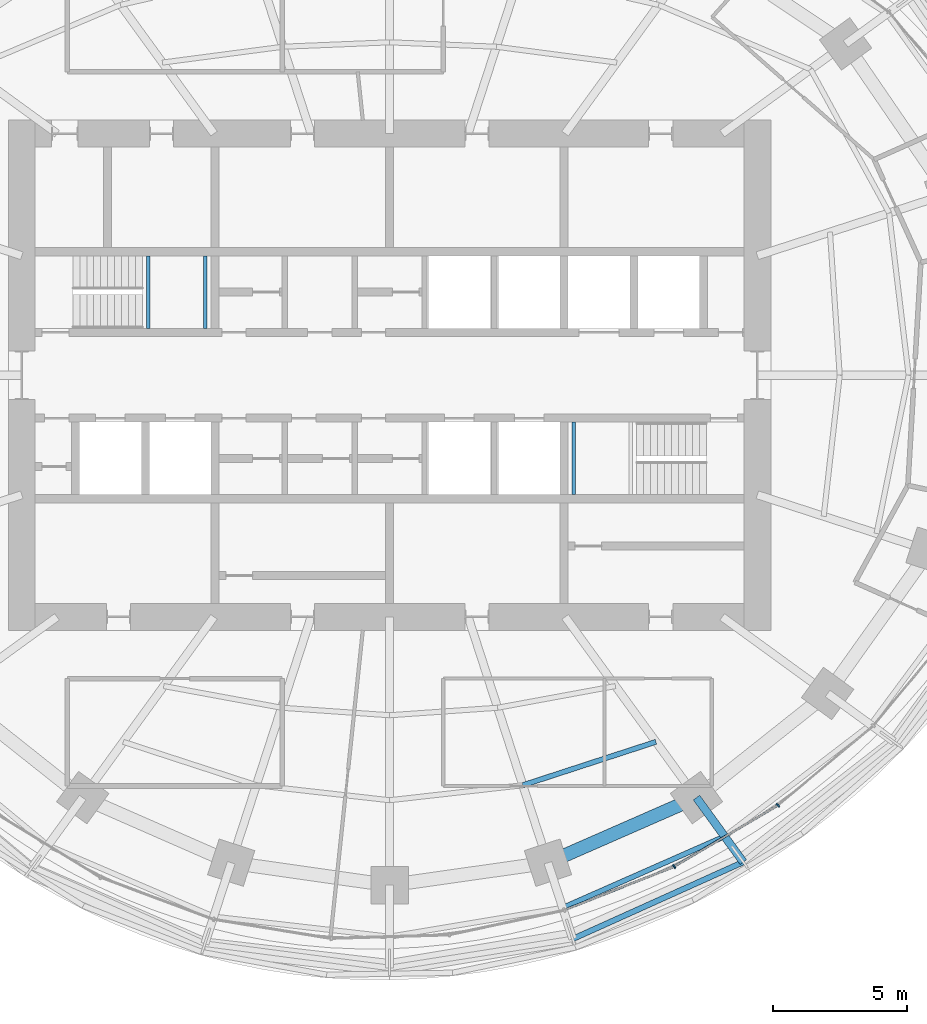
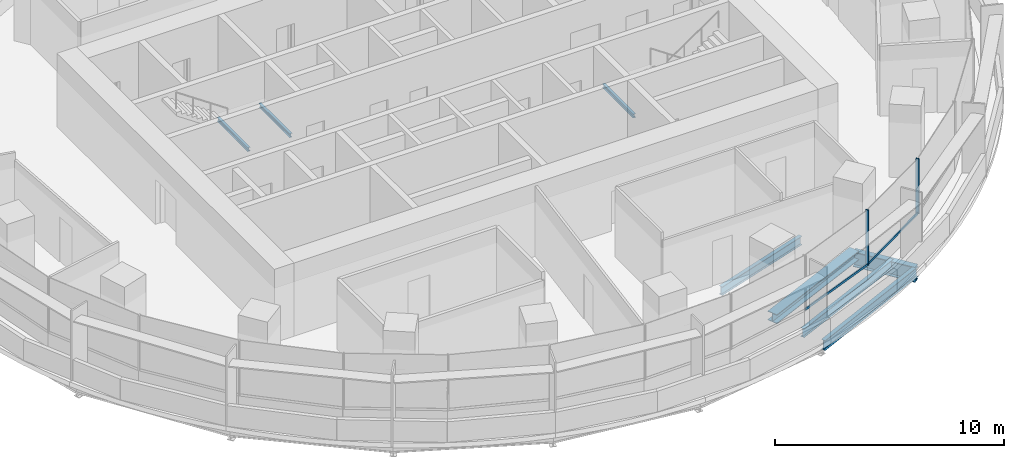
# One storey, part 5 of 17: 7 beams, 5 members, 2 elements without a shape of their own.
"""IFC4 building model written with IfcOpenShell, lengths in metres."""

from ifc_helpers import new_model, si_unit, direction, frame, origin, origin_2d, place, context, subcontext, project, spatial, rectangle, i_section, extrude, material, material_profile, profile_set, type_object, element, aggregate, save


model = new_model("IFC4")

# Units and contexts
model_context = context("Model", 3, precision=1e-05, world=origin(), true_north=direction((0.0, 1.0)))
body_context = subcontext(model_context, "Body", "Model", "MODEL_VIEW")
ifc_project = project(units=[si_unit("LENGTHUNIT", "METRE"), si_unit("AREAUNIT", "SQUARE_METRE"), si_unit("VOLUMEUNIT", "CUBIC_METRE"), si_unit("PLANEANGLEUNIT", "RADIAN"), si_unit("MASSUNIT", "GRAM", prefix="KILO")], contexts=[model_context])

# Site, building, storey
site_placement = place(None, origin())
site = spatial("IfcSite", under=ifc_project, at=site_placement, CompositionType="ELEMENT")
building_placement = place(site_placement, origin())
building = spatial("IfcBuilding", under=site, at=building_placement, Name="Marramba Exchange Tower", CompositionType="ELEMENT")
storey_placement = place(building_placement, frame((0.0, 0.0, 172.10009765625)))
storey = spatial("IfcBuildingStorey", under=building, at=storey_placement, Name="L41", CompositionType="ELEMENT", Elevation=172.10009765625)

# Member
ifc_material_1 = material(Name="Steel AS/NZS 3679.2 grade 300", Category="steel")
ifc_material_profile_1 = material_profile(ifc_material_1, i_section(OverallWidth=0.5, OverallDepth=0.48388671875, WebThickness=0.02490234375, FlangeThickness=0.031982421875, at=origin_2d()), Name="500WC340")
ifc_profile_set_1 = profile_set([ifc_material_profile_1], Name="Steel AS/NZS 3679.2 grade 300")
member_type_1 = type_object("IfcMemberType", Name="Belt truss chord 500WC340", PredefinedType="CHORD", material=ifc_profile_set_1)
member_1_placement = place(storey_placement, frame((5.899658203125, -18.156982421875, -0.442138671875), z_axis=(0.915876892158, 0.4014592363, 0.0), x_axis=(-0.4014592363, 0.915876892158, 0.0)))
element("IfcMember", 1, at=member_1_placement, inside=storey, type_object=member_type_1, Name="Belt chord L41 TC17-TC18", PredefinedType="CHORD", context=body_context, shape_type="SweptSolid", body=[
    extrude(i_section(OverallWidth=0.5, OverallDepth=0.48388671875, WebThickness=0.02490234375, FlangeThickness=0.031982421875, at=origin_2d()), origin(), (0.0, 0.0, 1.0), 6.038818359375),
])

# Beams
ifc_material_profile_2 = material_profile(ifc_material_1, i_section(OverallWidth=0.300048828125, OverallDepth=0.800048828125, WebThickness=0.013916015625, FlangeThickness=0.031982421875, at=origin_2d()), Name="800WB192")
ifc_profile_set_2 = profile_set([ifc_material_profile_2], Name="Steel AS/NZS 3679.2 grade 300")
beam_type_1 = type_object("IfcBeamType", Name="Cantilever girder 800WB192", PredefinedType="BEAM", material=ifc_profile_set_2)
beam_1_placement = place(storey_placement, frame((11.430419921875, -15.732666015625, -0.650146484375), z_axis=(0.587794986183, -0.8090099222, 0.0), x_axis=(0.8090099222, 0.587794986183, 0.0)))
element("IfcBeam", 2, at=beam_1_placement, inside=storey, type_object=beam_type_1, Name="Cantilever girder L41 TC18", PredefinedType="BEAM", context=body_context, shape_type="SweptSolid", body=[
    extrude(i_section(OverallWidth=0.300048828125, OverallDepth=0.800048828125, WebThickness=0.013916015625, FlangeThickness=0.031982421875, at=origin_2d()), origin(), (0.0, 0.0, 1.0), 2.9677734375),
])
ifc_material_2 = material(Name="Steel AS/NZS 3679.1 grade 300", Category="steel")
ifc_material_profile_3 = material_profile(ifc_material_2, i_section(OverallWidth=0.19091796875, OverallDepth=0.4599609375, WebThickness=0.010009765625, FlangeThickness=0.01611328125, FilletRadius=0.011474609375, at=origin_2d()), Name="460UB82.1")
ifc_profile_set_3 = profile_set([ifc_material_profile_3], Name="Steel AS/NZS 3679.1 grade 300")
beam_type_2 = type_object("IfcBeamType", Name="Floor joist 460UB82.1", PredefinedType="JOIST", material=ifc_profile_set_3)
beam_2_placement = place(storey_placement, frame((4.9619140625, -15.271484375, -0.43017578125), z_axis=(0.950764024931, 0.309915744834, 0.0), x_axis=(-0.309915744834, 0.950764024931, 0.0)))
element("IfcBeam", 3, at=beam_2_placement, inside=storey, type_object=beam_type_2, Name="Joist L41 bay 17 row 2", PredefinedType="JOIST", context=body_context, shape_type="SweptSolid", body=[
    extrude(i_section(OverallWidth=0.19091796875, OverallDepth=0.4599609375, WebThickness=0.010009765625, FlangeThickness=0.01611328125, FilletRadius=0.011474609375, at=origin_2d()), origin(), (0.0, 0.0, 1.0), 5.2158203125),
])

# Curtain wall, members
ifc_material_3 = material(Name="Aluminium framing, bronze anodised", Category="aluminium")
curtain_wall_type = type_object("IfcCurtainWallType", Name="Office ribbon curtain wall", PredefinedType="USERDEFINED", material=ifc_material_3)
curtain_wall_1_placement = place(storey_placement, origin())
curtain_wall_1 = element("IfcCurtainWall", 4, at=curtain_wall_1_placement, inside=storey, type_object=curtain_wall_type, Name="Curtain wall CW4 L41 F26-F30", ObjectType="RIBBON CURTAIN WALL", PredefinedType="USERDEFINED")
ifc_material_4 = material(Name="Aluminium mullion, bronze anodised", Category="aluminium")
ifc_material_profile_4 = material_profile(ifc_material_4, rectangle(XDim=0.159912109375, YDim=0.06005859375, at=origin_2d()), Name="CW4 mullion 60x160")
ifc_profile_set_4 = profile_set([ifc_material_profile_4], Name="Aluminium mullion, bronze anodised")
member_type_2 = type_object("IfcMemberType", Name="Office ribbon curtain wall mullion", PredefinedType="MULLION", material=ifc_profile_set_4)
member_2_placement = place(storey_placement, frame((10.60009765625, -18.2998046875, 0.7998046875), z_axis=(0.0, 0.0, 1.0), x_axis=(-0.508010571686, 0.861350833897, 0.0)))
member_2 = element("IfcMember", 5, at=member_2_placement, type_object=member_type_2, Name="CW4 mullion 1", PredefinedType="MULLION", context=body_context, shape_type="SweptSolid", body=[
    extrude(rectangle(XDim=0.159912109375, YDim=0.06005859375, at=origin_2d()), origin(), (0.0, 0.0, 1.0), 2.940185546875),
])
member_3_placement = place(storey_placement, frame((14.461669921875, -16.0166015625, 0.7998046875), z_axis=(0.0, 0.0, 1.0), x_axis=(-0.639565270127, 0.768736798421, 0.0)))
member_3 = element("IfcMember", 6, at=member_3_placement, type_object=member_type_2, Name="CW4 mullion 1", PredefinedType="MULLION", context=body_context, shape_type="SweptSolid", body=[
    extrude(rectangle(XDim=0.159912109375, YDim=0.06005859375, at=origin_2d()), origin(), (0.0, 0.0, 1.0), 2.940185546875),
])

# Curtain wall, member
curtain_wall_2_placement = place(storey_placement, origin())
curtain_wall_2 = element("IfcCurtainWall", 7, at=curtain_wall_2_placement, inside=storey, type_object=curtain_wall_type, Name="Curtain wall CW4 L41 F21-F25", ObjectType="RIBBON CURTAIN WALL", PredefinedType="USERDEFINED")
ifc_material_5 = material(Name="Aluminium transom, bronze anodised", Category="aluminium")
ifc_material_profile_5 = material_profile(ifc_material_5, rectangle(XDim=0.06005859375, YDim=0.1201171875, at=origin_2d()), Name="CW4 transom 60x120")
ifc_profile_set_5 = profile_set([ifc_material_profile_5], Name="Aluminium transom, bronze anodised")
member_type_3 = type_object("IfcMemberType", Name="Office ribbon curtain wall transom", PredefinedType="USERDEFINED", material=ifc_profile_set_5)
member_4_placement = place(storey_placement, frame((6.53271484375, -19.911376953125, 0.829833984375), z_axis=(0.930068344217, 0.367386547229, 0.0), x_axis=(-0.367386547229, 0.930068344217, 0.0)))
member_4 = element("IfcMember", 8, at=member_4_placement, type_object=member_type_3, Name="CW4 sill transom", ObjectType="TRANSOM", PredefinedType="USERDEFINED", context=body_context, shape_type="SweptSolid", body=[
    extrude(rectangle(XDim=0.06005859375, YDim=0.1201171875, at=origin_2d()), origin(), (0.0, 0.0, 1.0), 4.345458984375),
])
aggregate(curtain_wall_2, [member_4])

# Member
member_5_placement = place(storey_placement, frame((10.6259765625, -18.28466796875, 0.829833984375), z_axis=(0.861342387959, 0.508024891816, 0.0), x_axis=(-0.508024891816, 0.861342387959, 0.0)))
member_5 = element("IfcMember", 9, at=member_5_placement, type_object=member_type_3, Name="CW4 sill transom", ObjectType="TRANSOM", PredefinedType="USERDEFINED", context=body_context, shape_type="SweptSolid", body=[
    extrude(rectangle(XDim=0.06005859375, YDim=0.1201171875, at=origin_2d()), origin(), (0.0, 0.0, 1.0), 4.426513671875),
])

aggregate(curtain_wall_1, [member_2, member_5, member_3])

# Beams
ifc_material_profile_6 = material_profile(ifc_material_2, i_section(OverallWidth=0.19091796875, OverallDepth=0.4599609375, WebThickness=0.010009765625, FlangeThickness=0.01611328125, FilletRadius=0.011474609375, at=origin_2d()), Name="460UB82.1")
ifc_profile_set_6 = profile_set([ifc_material_profile_6], Name="Steel AS/NZS 3679.1 grade 300")
beam_type_3 = type_object("IfcBeamType", Name="Slab edge beam 460UB82.1", PredefinedType="SPANDREL", material=ifc_profile_set_6)
beam_3_placement = place(storey_placement, frame((6.44580078125, -19.83837890625, -0.43017578125), z_axis=(0.914940719579, 0.403588255102, 0.0), x_axis=(-0.403588255102, 0.914940719579, 0.0)))
element("IfcBeam", 10, at=beam_3_placement, inside=storey, type_object=beam_type_3, Name="Slab edge beam L41 TC17-TC18", PredefinedType="SPANDREL", context=body_context, shape_type="SweptSolid", body=[
    extrude(i_section(OverallWidth=0.19091796875, OverallDepth=0.4599609375, WebThickness=0.010009765625, FlangeThickness=0.01611328125, FilletRadius=0.011474609375, at=origin_2d()), origin(), (0.0, 0.0, 1.0), 6.594970703125),
])
ifc_material_profile_7 = material_profile(ifc_material_2, i_section(OverallWidth=0.208984375, OverallDepth=0.528076171875, WebThickness=0.009521484375, FlangeThickness=0.01318359375, FilletRadius=0.013916015625, at=origin_2d()), Name="530UB82.0")
ifc_profile_set_7 = profile_set([ifc_material_profile_7], Name="Steel AS/NZS 3679.1 grade 300")
beam_type_4 = type_object("IfcBeamType", Name="Slab edge beam 530UB82.0", PredefinedType="SPANDREL", material=ifc_profile_set_7)
beam_4_placement = place(storey_placement, frame((6.822509765625, -20.9970703125, -0.51416015625), z_axis=(0.911653171624, 0.410960453898, 0.0), x_axis=(-0.410960453898, 0.911653171624, 0.0)))
element("IfcBeam", 11, at=beam_4_placement, inside=storey, type_object=beam_type_4, Name="Setback roof edge beam L41 TC17-TC18", PredefinedType="SPANDREL", context=body_context, shape_type="SweptSolid", body=[
    extrude(i_section(OverallWidth=0.208984375, OverallDepth=0.528076171875, WebThickness=0.009521484375, FlangeThickness=0.01318359375, FilletRadius=0.013916015625, at=origin_2d()), origin(), (0.0, 0.0, 1.0), 6.9677734375),
])
ifc_material_profile_8 = material_profile(ifc_material_2, i_section(OverallWidth=0.133056640625, OverallDepth=0.202880859375, WebThickness=0.005859375, FlangeThickness=0.0078125, FilletRadius=0.0087890625, at=origin_2d()), Name="200UB25.4")
ifc_profile_set_8 = profile_set([ifc_material_profile_8], Name="Steel AS/NZS 3679.1 grade 300")
beam_type_5 = type_object("IfcBeamType", Name="Stair landing beam 200UB25.4", PredefinedType="BEAM", material=ifc_profile_set_8)
for number, where, z_axis, x_axis, name in (
    (12, (-8.9833984375, 1.75, 1.6484375), (0.0, 1.0, 0.0), (-1.0, 0.0, 0.0), "Stair landing beam SLB1 ST1 L41 1"),
    (13, (-6.866455078125, 1.75, 1.6484375), (0.0, 1.0, 0.0), (-1.0, 0.0, 0.0), "Stair landing beam SLB1 ST1 L41 2"),
    (14, (6.866455078125, -4.449951171875, 1.6484375), (0.0, 1.0, 0.0), (-1.0, 0.0, 0.0), "Stair landing beam SLB1 ST2 L41 1"),
):
    element("IfcBeam", number, at=place(storey_placement, frame(where, z_axis=z_axis, x_axis=x_axis)), inside=storey, type_object=beam_type_5, Name=name, PredefinedType="BEAM", context=body_context, shape_type="SweptSolid", body=[
        extrude(i_section(OverallWidth=0.133056640625, OverallDepth=0.202880859375, WebThickness=0.005859375, FlangeThickness=0.0078125, FilletRadius=0.0087890625, at=origin_2d()), origin(), (0.0, 0.0, 1.0), 2.699951171875),
    ])

save(model, "model.ifc")
